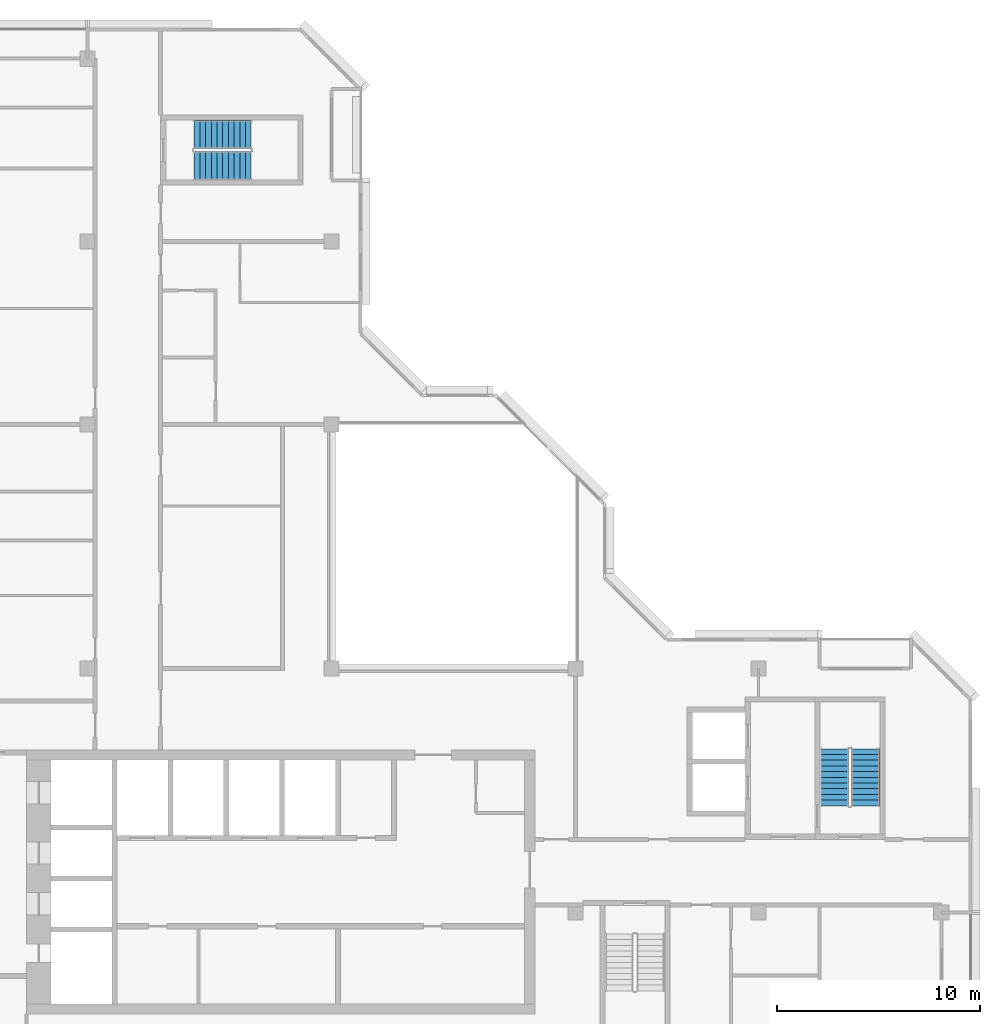
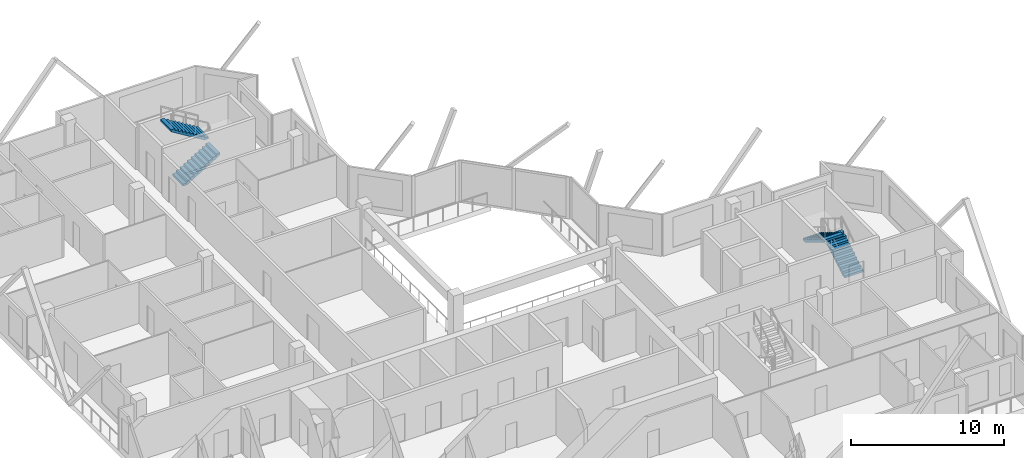
# One storey, part 10 of 12: 4 stair flights, 2 elements without a shape of their own.
"""IFC4 building model written with IfcOpenShell, lengths in metres."""

from ifc_helpers import new_model, si_unit, direction, frame, origin, place, context, subcontext, project, spatial, polyline, outline, extrude, material, type_object, element, aggregate, save


model = new_model("IFC4")

# Units and contexts
model_context = context("Model", 3, precision=1e-05, world=origin(), true_north=direction((0.0, 1.0)))
body_context = subcontext(model_context, "Body", "Model", "MODEL_VIEW")
ifc_project = project(units=[si_unit("LENGTHUNIT", "METRE"), si_unit("AREAUNIT", "SQUARE_METRE"), si_unit("VOLUMEUNIT", "CUBIC_METRE"), si_unit("PLANEANGLEUNIT", "RADIAN"), si_unit("MASSUNIT", "GRAM", prefix="KILO")], contexts=[model_context])

# Site, building, storey
site_placement = place(None, origin())
site = spatial("IfcSite", under=ifc_project, at=site_placement, CompositionType="ELEMENT")
building_placement = place(site_placement, origin())
building = spatial("IfcBuilding", under=site, at=building_placement, Name="Chenar Terraces", CompositionType="ELEMENT")
storey_placement = place(building_placement, frame((0.0, 0.0, 368.89990234375)))
storey = spatial("IfcBuildingStorey", under=building, at=storey_placement, Name="L86", CompositionType="ELEMENT", Elevation=368.89990234375)

# Stair, stair flights
ifc_material_1 = material(Name="Reinforced concrete C40/50", Category="concrete")
stair_type = type_object("IfcStairType", Name="Core stair 1400 half-turn", PredefinedType="HALF_TURN_STAIR", material=ifc_material_1)
placement = place(storey_placement, origin())
stair_1 = element("IfcStair", 1, at=placement, inside=storey, type_object=stair_type, Name="L86 Stair 3", PredefinedType="HALF_TURN_STAIR")
ifc_material_2 = material(Name="Reinforced concrete C40/50", Category="concrete")
stair_flight_type = type_object("IfcStairFlightType", Name="Core stair flight 1400", PredefinedType="STRAIGHT", material=ifc_material_2)
stair_flight_1_placement = place(storey_placement, frame((50.27490234375, 17.25, 0.0), z_axis=(0.0, 0.0, 1.0), x_axis=(0.0, 1.0, 0.0)))
stair_flight_1 = element("IfcStairFlight", 2, at=stair_flight_1_placement, type_object=stair_flight_type, Name="ST3 flight 1", NumberOfRisers=11, NumberOfTreads=10, PredefinedType="STRAIGHT", RiserHeight=0.170454545, TreadLength=0.28, context=body_context, shape_type="SweptSolid", body=[
    extrude(outline(polyline([(-0.0029296875, 0.0), (-0.0029296875, 0.17041015625), (0.0, 0.17041015625), (0.280029296875, 0.17041015625), (0.280029296875, 0.3408203125), (0.56005859375, 0.3408203125), (0.56005859375, 0.511474609375), (0.840087890625, 0.511474609375), (0.840087890625, 0.681884765625), (1.1201171875, 0.681884765625), (1.1201171875, 0.852294921875), (1.39990234375, 0.852294921875), (1.39990234375, 1.022705078125), (1.679931640625, 1.022705078125), (1.679931640625, 1.193115234375), (1.9599609375, 1.193115234375), (1.9599609375, 1.363525390625), (2.239990234375, 1.363525390625), (2.239990234375, 1.5341796875), (2.52001953125, 1.5341796875), (2.52001953125, 1.70458984375), (2.800048828125, 1.70458984375), (2.802978515625, 1.70458984375), (2.802978515625, 1.529052734375), (2.800048828125, 1.529052734375), (0.288330078125, 0.0), (-0.0029296875, 0.0)])), frame((0.0, 0.699951171875, 0.0), z_axis=(0.0, -1.0, 0.0), x_axis=(1.0, 0.0, 0.0)), (0.0, 0.0, 1.0), 1.39990234375),
])
stair_flight_2_placement = place(storey_placement, frame((48.72509765625, 20.050048828125, 1.875), z_axis=(0.0, 0.0, 1.0), x_axis=(0.0, -1.0, 0.0)))
stair_flight_2 = element("IfcStairFlight", 3, at=stair_flight_2_placement, type_object=stair_flight_type, Name="ST3 flight 2", NumberOfRisers=11, NumberOfTreads=10, PredefinedType="STRAIGHT", RiserHeight=0.170454545, TreadLength=0.28, context=body_context, shape_type="SweptSolid", body=[
    extrude(outline(polyline([(-0.0029296875, 0.0), (-0.0029296875, 0.17041015625), (0.0, 0.17041015625), (0.280029296875, 0.17041015625), (0.280029296875, 0.3408203125), (0.56005859375, 0.3408203125), (0.56005859375, 0.511474609375), (0.840087890625, 0.511474609375), (0.840087890625, 0.681884765625), (1.1201171875, 0.681884765625), (1.1201171875, 0.852294921875), (1.39990234375, 0.852294921875), (1.39990234375, 1.022705078125), (1.679931640625, 1.022705078125), (1.679931640625, 1.193115234375), (1.9599609375, 1.193115234375), (1.9599609375, 1.363525390625), (2.239990234375, 1.363525390625), (2.239990234375, 1.5341796875), (2.52001953125, 1.5341796875), (2.52001953125, 1.70458984375), (2.800048828125, 1.70458984375), (2.802978515625, 1.70458984375), (2.802978515625, 1.529052734375), (2.800048828125, 1.529052734375), (0.288330078125, 0.0), (-0.0029296875, 0.0)])), frame((0.0, 0.699951171875, 0.0), z_axis=(0.0, -1.0, 0.0), x_axis=(1.0, 0.0, 0.0)), (0.0, 0.0, 1.0), 1.39990234375),
])
aggregate(stair_1, [stair_flight_1, stair_flight_2])

stair_2 = element("IfcStair", 4, at=placement, inside=storey, type_object=stair_type, Name="L86 Stair 4", PredefinedType="HALF_TURN_STAIR")
stair_flight_3_placement = place(storey_placement, frame((17.25, 48.72509765625, 0.0), z_axis=(0.0, 0.0, 1.0), x_axis=(1.0, 0.0, 0.0)))
stair_flight_3 = element("IfcStairFlight", 5, at=stair_flight_3_placement, type_object=stair_flight_type, Name="ST4 flight 1", NumberOfRisers=11, NumberOfTreads=10, PredefinedType="STRAIGHT", RiserHeight=0.170454545, TreadLength=0.28, context=body_context, shape_type="SweptSolid", body=[
    extrude(outline(polyline([(-0.0029296875, 0.0), (-0.0029296875, 0.17041015625), (0.0, 0.17041015625), (0.280029296875, 0.17041015625), (0.280029296875, 0.3408203125), (0.56005859375, 0.3408203125), (0.56005859375, 0.511474609375), (0.840087890625, 0.511474609375), (0.840087890625, 0.681884765625), (1.1201171875, 0.681884765625), (1.1201171875, 0.852294921875), (1.39990234375, 0.852294921875), (1.39990234375, 1.022705078125), (1.679931640625, 1.022705078125), (1.679931640625, 1.193115234375), (1.9599609375, 1.193115234375), (1.9599609375, 1.363525390625), (2.239990234375, 1.363525390625), (2.239990234375, 1.5341796875), (2.52001953125, 1.5341796875), (2.52001953125, 1.70458984375), (2.800048828125, 1.70458984375), (2.802978515625, 1.70458984375), (2.802978515625, 1.529052734375), (2.800048828125, 1.529052734375), (0.288330078125, 0.0), (-0.0029296875, 0.0)])), frame((0.0, 0.699951171875, 0.0), z_axis=(0.0, -1.0, 0.0), x_axis=(1.0, 0.0, 0.0)), (0.0, 0.0, 1.0), 1.39990234375),
])
stair_flight_4_placement = place(storey_placement, frame((20.050048828125, 50.27490234375, 1.875), z_axis=(0.0, 0.0, 1.0), x_axis=(-1.0, 0.0, 0.0)))
stair_flight_4 = element("IfcStairFlight", 6, at=stair_flight_4_placement, type_object=stair_flight_type, Name="ST4 flight 2", NumberOfRisers=11, NumberOfTreads=10, PredefinedType="STRAIGHT", RiserHeight=0.170454545, TreadLength=0.28, context=body_context, shape_type="SweptSolid", body=[
    extrude(outline(polyline([(-0.0029296875, 0.0), (-0.0029296875, 0.17041015625), (0.0, 0.17041015625), (0.280029296875, 0.17041015625), (0.280029296875, 0.3408203125), (0.56005859375, 0.3408203125), (0.56005859375, 0.511474609375), (0.840087890625, 0.511474609375), (0.840087890625, 0.681884765625), (1.1201171875, 0.681884765625), (1.1201171875, 0.852294921875), (1.39990234375, 0.852294921875), (1.39990234375, 1.022705078125), (1.679931640625, 1.022705078125), (1.679931640625, 1.193115234375), (1.9599609375, 1.193115234375), (1.9599609375, 1.363525390625), (2.239990234375, 1.363525390625), (2.239990234375, 1.5341796875), (2.52001953125, 1.5341796875), (2.52001953125, 1.70458984375), (2.800048828125, 1.70458984375), (2.802978515625, 1.70458984375), (2.802978515625, 1.529052734375), (2.800048828125, 1.529052734375), (0.288330078125, 0.0), (-0.0029296875, 0.0)])), frame((0.0, 0.699951171875, 0.0), z_axis=(0.0, -1.0, 0.0), x_axis=(1.0, 0.0, 0.0)), (0.0, 0.0, 1.0), 1.39990234375),
])
aggregate(stair_2, [stair_flight_3, stair_flight_4])

save(model, "model.ifc")
